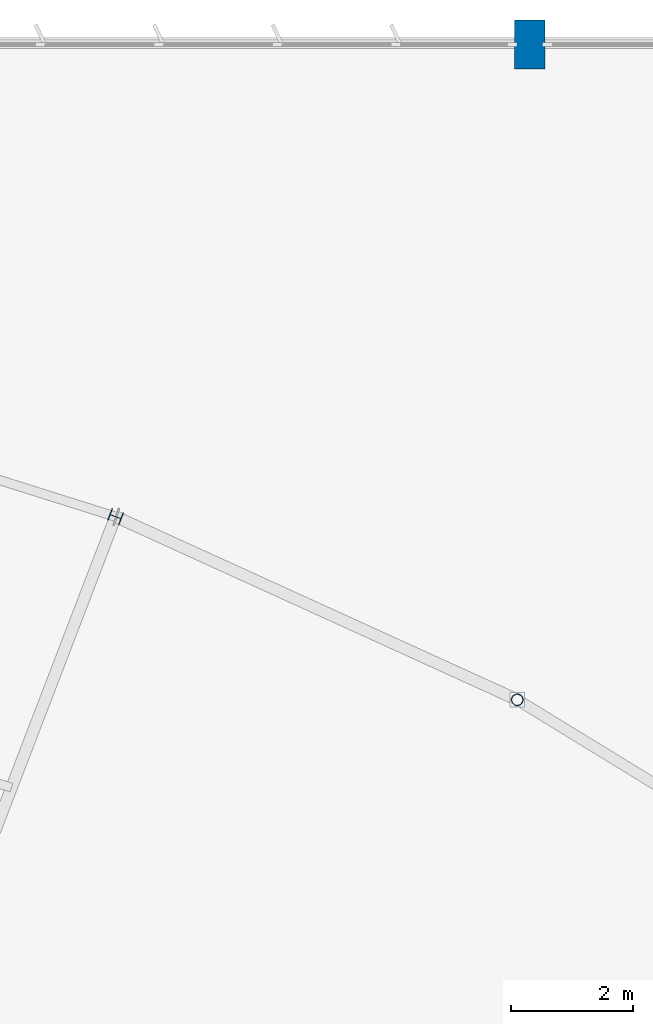
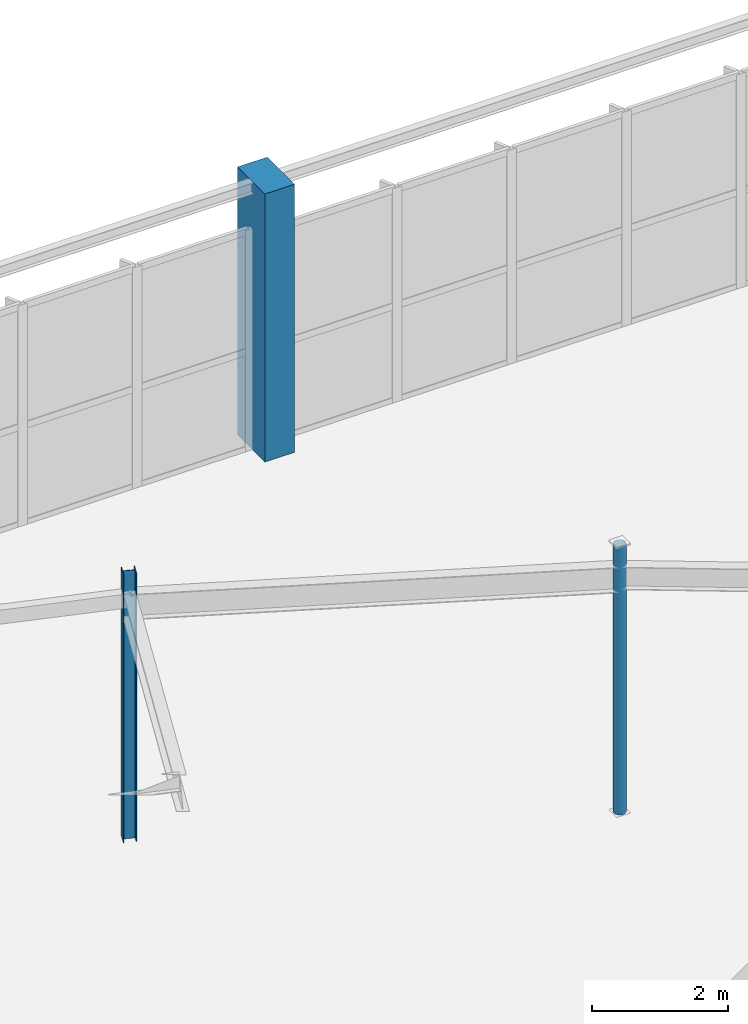
# One storey, part 32 of 186: 3 columns.
"""IFC4 building model written with IfcOpenShell, lengths in metres."""

from ifc_helpers import new_model, si_unit, direction, frame, origin, origin_2d, place, context, subcontext, project, spatial, rectangle, hollow_circle, i_section, extrude, material, material_profile, profile_set, type_object, element, save


model = new_model("IFC4")

# Units and contexts
model_context = context("Model", 3, precision=1e-05, world=origin(), true_north=direction((0.0, 1.0)))
body_context = subcontext(model_context, "Body", "Model", "MODEL_VIEW")
ifc_project = project(units=[si_unit("LENGTHUNIT", "METRE"), si_unit("AREAUNIT", "SQUARE_METRE"), si_unit("VOLUMEUNIT", "CUBIC_METRE"), si_unit("PLANEANGLEUNIT", "RADIAN"), si_unit("MASSUNIT", "GRAM", prefix="KILO")], contexts=[model_context])

# Site, building, storey
site_placement = place(None, origin())
site = spatial("IfcSite", under=ifc_project, at=site_placement, CompositionType="ELEMENT")
building_placement = place(site_placement, origin())
building = spatial("IfcBuilding", under=site, at=building_placement, Name="Tarnwether General Hospital", CompositionType="ELEMENT")
storey_placement = place(building_placement, frame((0.0, 0.0, 9.60009765625)))
storey = spatial("IfcBuildingStorey", under=building, at=storey_placement, Name="L02", CompositionType="ELEMENT", Elevation=9.60009765625)

# Columns
ifc_material_1 = material(Name="Concrete 50 MPa", Category="concrete")
ifc_material_profile_1 = material_profile(ifc_material_1, rectangle(XDim=0.5, YDim=0.800048828125, at=origin_2d()), Name="RC-PIL-500x800")
ifc_profile_set_1 = profile_set([ifc_material_profile_1], Name="Concrete 50 MPa")
column_type_1 = type_object("IfcColumnType", Name="COL-23", PredefinedType="PILASTER", material=ifc_profile_set_1)
column_1_placement = place(storey_placement, frame((120.0, 126.0, 0.0), z_axis=(0.0, 0.0, 1.0), x_axis=(1.0, 0.0, 0.0)))
element("IfcColumn", 1, at=column_1_placement, inside=storey, type_object=column_type_1, Name="Column COLG-L02-12000_12600", PredefinedType="PILASTER", context=body_context, shape_type="SweptSolid", body=[
    extrude(rectangle(XDim=0.5, YDim=0.800048828125, at=origin_2d()), origin(), (0.0, 0.0, 1.0), 4.7998046875),
])
ifc_material_2 = material(Name="Steel Grade 350 (350 MPa)", Category="steel")
ifc_material_profile_2 = material_profile(ifc_material_2, i_section(OverallWidth=0.202880859375, OverallDepth=0.202880859375, WebThickness=0.00732421875, FlangeThickness=0.010986328125, at=origin_2d()), Name="200UC46.2")
ifc_profile_set_2 = profile_set([ifc_material_profile_2], Name="Steel Grade 350 (350 MPa)")
column_type_2 = type_object("IfcColumnType", Name="COL-27", PredefinedType="COLUMN", material=ifc_profile_set_2)
column_2_placement = place(storey_placement, frame((113.215087890625, 118.26806640625, 0.0), z_axis=(0.0, 0.0, 1.0), x_axis=(0.358367949545, 0.933580426497, 0.0)))
element("IfcColumn", 2, at=column_2_placement, inside=storey, type_object=column_type_2, Name="Column COLG-L02-11322_11827", PredefinedType="COLUMN", context=body_context, shape_type="SweptSolid", body=[
    extrude(i_section(OverallWidth=0.202880859375, OverallDepth=0.202880859375, WebThickness=0.00732421875, FlangeThickness=0.010986328125, at=origin_2d()), origin(), (0.0, 0.0, 1.0), 4.7998046875),
])
ifc_material_3 = material(Name="Steel Grade C350L0 (350 MPa)", Category="steel")
ifc_material_profile_3 = material_profile(ifc_material_3, hollow_circle(Radius=0.096923828125, WallThickness=0.008056640625, at=origin_2d()), Name="CHS193.7x8.0")
ifc_profile_set_3 = profile_set([ifc_material_profile_3], Name="Steel Grade C350L0 (350 MPa)")
column_type_3 = type_object("IfcColumnType", Name="COL-29", PredefinedType="COLUMN", material=ifc_profile_set_3)
column_3_placement = place(storey_placement, frame((119.79296875, 115.27001953125, 0.0), z_axis=(0.0, 0.0, 1.0), x_axis=(0.469471562786, 0.882947592859, 0.0)))
element("IfcColumn", 3, at=column_3_placement, inside=storey, type_object=column_type_3, Name="Column COLG-L02-11979_11527", PredefinedType="COLUMN", context=body_context, shape_type="SweptSolid", body=[
    extrude(hollow_circle(Radius=0.096923828125, WallThickness=0.008056640625, at=origin_2d()), origin(), (0.0, 0.0, 1.0), 4.7998046875),
])

save(model, "model.ifc")
